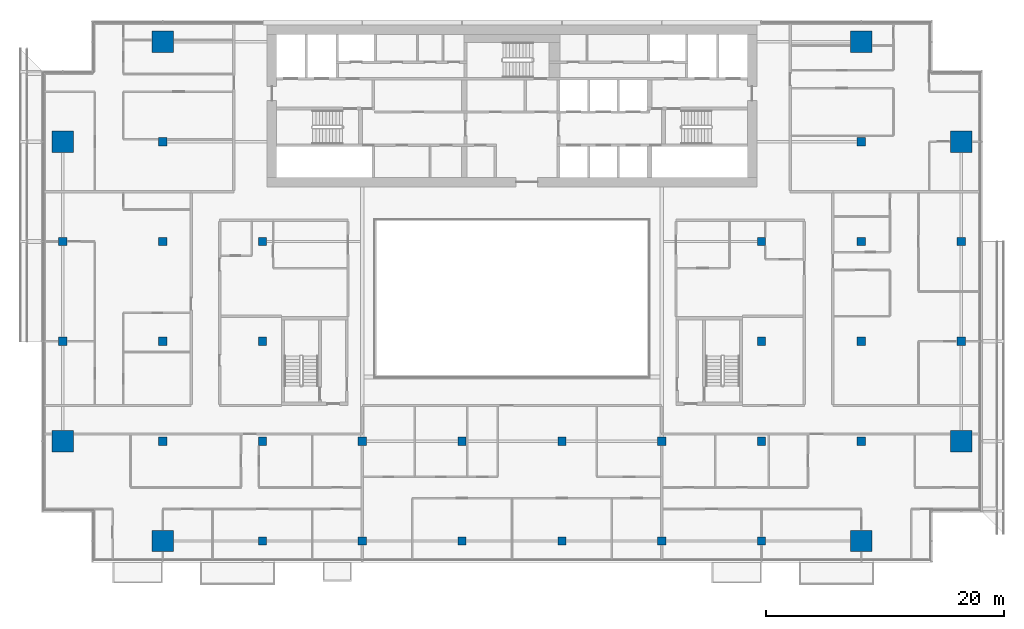
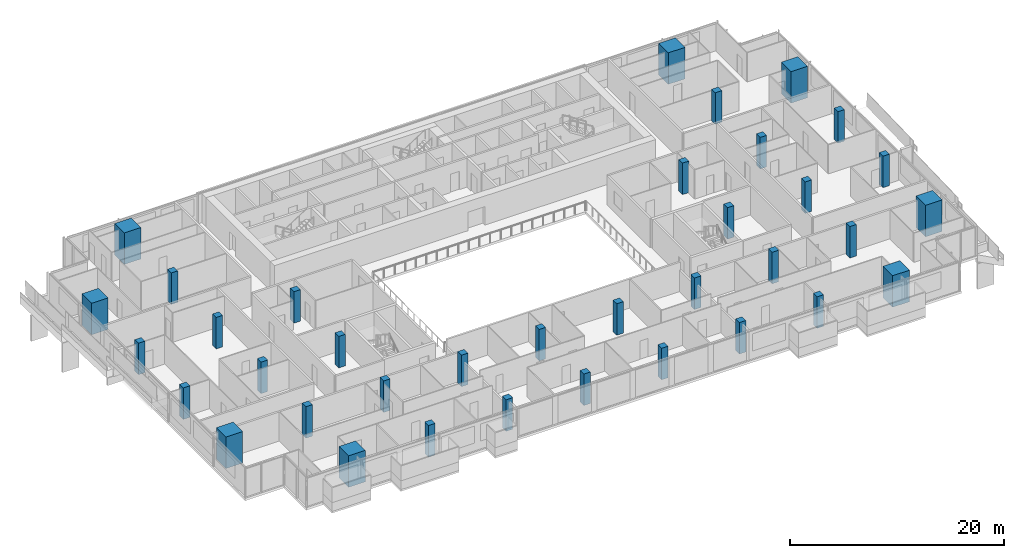
# One storey, part 1 of 29: 36 columns.
"""IFC4 building model written with IfcOpenShell, lengths in metres."""

import ifcopenshell
import ifcopenshell.guid

model = None  # the IFC model being written
_history = None  # IfcOwnerHistory: only IFC2X3 demands one
_inside = {}  # id of a spatial element -> (the spatial element, [elements in it])
_under = {}  # id of a project, library or spatial element -> (it, [spatial elements below it])
_declared = {}  # id of a project -> (the project, [libraries it declares])
_typed = {}  # id of a type object -> (the type object, [elements of that type])
_made_of = {}  # id of a material, layer set ... -> (it, [elements and type objects made of it])


def new_model(schema):
    """Start an empty IFC model of exactly this schema.

    Asked for "IFC4X3", IfcOpenShell would pick the latest addendum, in which some entities
    have other attributes; the version numbers below select the first issue.
    IFC2X3 requires an IfcOwnerHistory on every rooted entity: one is made here for all.
    """
    global model, _history
    if schema == "IFC4X3":
        model = ifcopenshell.file(schema_version=(4, 3, 0, 0))
    else:
        model = ifcopenshell.file(schema=schema)
    _inside.clear()
    _under.clear()
    _declared.clear()
    _typed.clear()
    _made_of.clear()
    _history = None
    if model.schema == "IFC2X3":
        org = make("IfcOrganization", Name="unknown")
        user = make(
            "IfcPersonAndOrganization",
            ThePerson=make("IfcPerson", FamilyName="unknown"),
            TheOrganization=org,
        )
        app = make(
            "IfcApplication",
            ApplicationDeveloper=org,
            Version="unknown",
            ApplicationFullName="unknown",
            ApplicationIdentifier="unknown",
        )
        _history = make(
            "IfcOwnerHistory",
            OwningUser=user,
            OwningApplication=app,
            ChangeAction="ADDED",
            CreationDate=0,
        )
    return model


def make(cls, **values):
    """One entity of the class cls with the attributes given. An attribute that is None is left unset."""
    return model.create_entity(
        cls, **{name: value for name, value in values.items() if value is not None}
    )


def rooted(cls, **values):
    """An entity with a GlobalId (a new one), such as an element, a storey or a relation."""
    return make(cls, GlobalId=ifcopenshell.guid.new(), OwnerHistory=_history, **values)


def si_unit(unit_type, name, prefix=None):
    """IfcSIUnit, for example si_unit("LENGTHUNIT", "METRE", prefix="MILLI")."""
    return make("IfcSIUnit", UnitType=unit_type, Prefix=prefix, Name=name)


def assignment(units):
    """IfcUnitAssignment: the units of a project."""
    return None if units is None else make("IfcUnitAssignment", Units=units)


def point(xyz):
    """IfcCartesianPoint."""
    return None if xyz is None else make("IfcCartesianPoint", Coordinates=xyz)


def direction(xyz):
    """IfcDirection."""
    return None if xyz is None else make("IfcDirection", DirectionRatios=xyz)


def frame(location, z_axis=None, x_axis=None):
    """IfcAxis2Placement3D, a coordinate frame: its origin and axes. An axis left out is left unset."""
    return make(
        "IfcAxis2Placement3D",
        Location=point(location),
        Axis=direction(z_axis),
        RefDirection=direction(x_axis),
    )


def frame_2d(location, x_axis=None):
    """IfcAxis2Placement2D, a coordinate frame in the plane: its origin and x axis."""
    return make(
        "IfcAxis2Placement2D", Location=point(location), RefDirection=direction(x_axis)
    )


def origin():
    """The frame at (0, 0, 0) with its axes left unset."""
    return frame((0.0, 0.0, 0.0))


def origin_2d():
    """The frame at (0, 0) in the plane with its x axis left unset."""
    return frame_2d((0.0, 0.0))


def place(relative_to, where):
    """IfcLocalPlacement: puts the frame where relative to a parent placement (None: the world)."""
    return make(
        "IfcLocalPlacement", PlacementRelTo=relative_to, RelativePlacement=where
    )


def context(
    kind, dimensions, precision=None, world=None, true_north=None, identifier=None
):
    """IfcGeometricRepresentationContext, for example the 3D "Model" context."""
    return make(
        "IfcGeometricRepresentationContext",
        ContextIdentifier=identifier,
        ContextType=kind,
        CoordinateSpaceDimension=dimensions,
        Precision=precision,
        WorldCoordinateSystem=world,
        TrueNorth=true_north,
    )


def subcontext(parent, identifier, kind, view, scale=None):
    """IfcGeometricRepresentationSubContext, for example "Body" below "Model"."""
    return make(
        "IfcGeometricRepresentationSubContext",
        ContextIdentifier=identifier,
        ContextType=kind,
        ParentContext=parent,
        TargetScale=scale,
        TargetView=view,
    )


def project(units=None, contexts=None):
    """IfcProject with its units and contexts."""
    return rooted(
        "IfcProject",
        Name="project",
        RepresentationContexts=contexts,
        UnitsInContext=assignment(units),
    )


def spatial(cls, under=None, at=None, **own):
    """A site, building, storey or space (cls), placed at a placement, below another one or the project."""
    s = rooted(cls, ObjectPlacement=at, **own)
    if under is not None:
        _under.setdefault(under.id(), (under, []))[1].append(s)
    return s


def profile(cls, at=None, kind="AREA", **sizes):
    """A parametric profile (cls). Its sizes go by their IFC names, for example OverallWidth=200.0."""
    return make(cls, ProfileType=kind, Position=at, **sizes)


def rectangle(**sizes):
    """IfcRectangleProfileDef."""
    return profile("IfcRectangleProfileDef", **sizes)


def extrude(swept, where, along, depth):
    """IfcExtrudedAreaSolid: the profile swept, set in the frame where, extruded along a direction by depth."""
    return make(
        "IfcExtrudedAreaSolid",
        SweptArea=swept,
        Position=where,
        ExtrudedDirection=direction(along),
        Depth=depth,
    )


def shape(context_of_items, identifier, shape_type, items):
    """IfcShapeRepresentation: the items that make up one representation, for example the "Body"."""
    return make(
        "IfcShapeRepresentation",
        ContextOfItems=context_of_items,
        RepresentationIdentifier=identifier,
        RepresentationType=shape_type,
        Items=items,
    )


def material(Name=None, Category=None):
    """IfcMaterial."""
    return make("IfcMaterial", Name=Name, Category=Category)


def material_profile(
    of_material, cross_section, Name=None, Category=None, Priority=None
):
    """IfcMaterialProfile: a cross section and its material."""
    return make(
        "IfcMaterialProfile",
        Name=Name,
        Material=of_material,
        Profile=cross_section,
        Priority=Priority,
        Category=Category,
    )


def profile_set(profiles, Name=None, composite=None):
    """IfcMaterialProfileSet."""
    return make(
        "IfcMaterialProfileSet",
        Name=Name,
        MaterialProfiles=profiles,
        CompositeProfile=composite,
    )


def made_of(thing, what):
    """Note that an element or type object is made of a material, layer set ...; save() writes the relation."""
    if what is not None:
        _made_of.setdefault(what.id(), (what, []))[1].append(thing)
    return thing


def type_object(cls, material=None, **own):
    """A type object (cls), such as IfcWallType, which elements share."""
    return made_of(rooted(cls, **own), material)


def element(
    cls,
    number,
    at=None,
    inside=None,
    cuts=None,
    type_object=None,
    material=None,
    context=None,
    identifier="Body",
    shape_type=None,
    held_by="IfcProductDefinitionShape",
    body=None,
    shapes=None,
    **own,
):
    """One element of the class cls, such as IfcWall. Its Tag is "e" and its number.

    at: its placement. inside: the storey or other place that contains it. cuts: it is an
    opening in that element (IfcRelVoidsElement). A single representation is given by context,
    identifier, shape_type and body (its items); several are given by shapes. held_by: the class
    of the entity that holds the representations. save() writes the other relations.
    """
    e = rooted(cls, Tag="e%d" % number, ObjectPlacement=at, **own)
    if body is not None:
        shapes = [shape(context, identifier, shape_type, body)]
    if shapes is not None:
        e.Representation = make(held_by, Representations=shapes)
    if inside is not None:
        _inside.setdefault(inside.id(), (inside, []))[1].append(e)
    if cuts is not None:
        rooted(
            "IfcRelVoidsElement", RelatingBuildingElement=cuts, RelatedOpeningElement=e
        )
    if type_object is not None:
        _typed.setdefault(type_object.id(), (type_object, []))[1].append(e)
    return made_of(e, material)


def aggregate(whole, parts):
    """IfcRelAggregates: a whole, such as a stair, and the parts it consists of."""
    return rooted("IfcRelAggregates", RelatingObject=whole, RelatedObjects=parts)


def save(model, path):
    """Write the relations noted so far, then the file.

    IfcRelAggregates (storeys below a building ...), IfcRelContainedInSpatialStructure (elements
    in a storey), IfcRelDefinesByType, IfcRelAssociatesMaterial and IfcRelDeclares: one each for
    every whole, place, type object, material and project.
    """
    for whole, parts in _under.values():
        aggregate(whole, parts)
    for where, things in _inside.values():
        rooted(
            "IfcRelContainedInSpatialStructure",
            RelatedElements=things,
            RelatingStructure=where,
        )
    for kind, things in _typed.values():
        rooted("IfcRelDefinesByType", RelatedObjects=things, RelatingType=kind)
    for what, things in _made_of.values():
        rooted("IfcRelAssociatesMaterial", RelatedObjects=things, RelatingMaterial=what)
    for by, libraries in _declared.values():
        rooted("IfcRelDeclares", RelatingContext=by, RelatedDefinitions=libraries)
    model.write(path)


model = new_model("IFC4")

# Units and contexts
model_context = context("Model", 3, precision=1e-05, world=origin(), true_north=direction((0.0, 1.0)))
body_context = subcontext(model_context, "Body", "Model", "MODEL_VIEW")
ifc_project = project(units=[si_unit("LENGTHUNIT", "METRE"), si_unit("AREAUNIT", "SQUARE_METRE"), si_unit("VOLUMEUNIT", "CUBIC_METRE"), si_unit("PLANEANGLEUNIT", "RADIAN"), si_unit("MASSUNIT", "GRAM", prefix="KILO")], contexts=[model_context])

# Site, building, storey
site_placement = place(None, origin())
site = spatial("IfcSite", under=ifc_project, at=site_placement, CompositionType="ELEMENT")
building_placement = place(site_placement, origin())
building = spatial("IfcBuilding", under=site, at=building_placement, Name="Saffron Gate Tower", CompositionType="ELEMENT")
storey_placement = place(building_placement, frame((0.0, 0.0, 161.85009765625)))
storey = spatial("IfcBuildingStorey", under=building, at=storey_placement, Name="L39", CompositionType="ELEMENT", Elevation=161.85009765625)

# Columns
ifc_material_1 = material(Name="Concrete C50", Category="concrete")
ifc_material_profile_1 = material_profile(ifc_material_1, rectangle(XDim=0.699951171875, YDim=0.699951171875, at=origin_2d()))
ifc_profile_set_1 = profile_set([ifc_material_profile_1], Name="Concrete C50")
column_type_1 = type_object("IfcColumnType", Name="C3 RC 700x700 CONCRETE C50", PredefinedType="COLUMN", material=ifc_profile_set_1)
for number, where, z_axis, x_axis, name in (
    (1, (49.800048828125, 48.60009765625, 0.0), (0.0, 0.0, 1.0), (1.0, 0.0, 0.0), "C3 COLUMN X1-C"),
    (2, (49.800048828125, 57.0, 0.0), (0.0, 0.0, 1.0), (1.0, 0.0, 0.0), "C3 COLUMN X1-D"),
    (3, (58.199951171875, 40.199951171875, 0.0), (0.0, 0.0, 1.0), (1.0, 0.0, 0.0), "C3 COLUMN X2-B"),
    (4, (58.199951171875, 48.60009765625, 0.0), (0.0, 0.0, 1.0), (1.0, 0.0, 0.0), "C3 COLUMN X2-C"),
    (5, (58.199951171875, 57.0, 0.0), (0.0, 0.0, 1.0), (1.0, 0.0, 0.0), "C3 COLUMN X2-D"),
    (6, (58.199951171875, 65.39990234375, 0.0), (0.0, 0.0, 1.0), (1.0, 0.0, 0.0), "C3 COLUMN X2-E"),
    (7, (66.60009765625, 31.800048828125, 0.0), (0.0, 0.0, 1.0), (1.0, 0.0, 0.0), "C3 COLUMN X3-A"),
    (8, (66.60009765625, 40.199951171875, 0.0), (0.0, 0.0, 1.0), (1.0, 0.0, 0.0), "C3 COLUMN X3-B"),
    (9, (66.60009765625, 48.60009765625, 0.0), (0.0, 0.0, 1.0), (1.0, 0.0, 0.0), "C3 COLUMN X3-C"),
    (10, (66.60009765625, 57.0, 0.0), (0.0, 0.0, 1.0), (1.0, 0.0, 0.0), "C3 COLUMN X3-D"),
    (11, (75.0, 31.800048828125, 0.0), (0.0, 0.0, 1.0), (1.0, 0.0, 0.0), "C3 COLUMN X4-A"),
    (12, (75.0, 40.199951171875, 0.0), (0.0, 0.0, 1.0), (1.0, 0.0, 0.0), "C3 COLUMN X4-B"),
    (13, (83.39990234375, 31.800048828125, 0.0), (0.0, 0.0, 1.0), (1.0, 0.0, 0.0), "C3 COLUMN X5-A"),
    (14, (83.39990234375, 40.199951171875, 0.0), (0.0, 0.0, 1.0), (1.0, 0.0, 0.0), "C3 COLUMN X5-B"),
    (15, (91.800048828125, 31.800048828125, 0.0), (0.0, 0.0, 1.0), (1.0, 0.0, 0.0), "C3 COLUMN X6-A"),
    (16, (91.800048828125, 40.199951171875, 0.0), (0.0, 0.0, 1.0), (1.0, 0.0, 0.0), "C3 COLUMN X6-B"),
    (17, (100.199951171875, 31.800048828125, 0.0), (0.0, 0.0, 1.0), (1.0, 0.0, 0.0), "C3 COLUMN X7-A"),
    (18, (100.199951171875, 40.199951171875, 0.0), (0.0, 0.0, 1.0), (1.0, 0.0, 0.0), "C3 COLUMN X7-B"),
    (19, (108.60009765625, 31.800048828125, 0.0), (0.0, 0.0, 1.0), (1.0, 0.0, 0.0), "C3 COLUMN X8-A"),
    (20, (108.60009765625, 40.199951171875, 0.0), (0.0, 0.0, 1.0), (1.0, 0.0, 0.0), "C3 COLUMN X8-B"),
    (21, (108.60009765625, 48.60009765625, 0.0), (0.0, 0.0, 1.0), (1.0, 0.0, 0.0), "C3 COLUMN X8-C"),
    (22, (108.60009765625, 57.0, 0.0), (0.0, 0.0, 1.0), (1.0, 0.0, 0.0), "C3 COLUMN X8-D"),
    (23, (117.0, 40.199951171875, 0.0), (0.0, 0.0, 1.0), (1.0, 0.0, 0.0), "C3 COLUMN X9-B"),
    (24, (117.0, 48.60009765625, 0.0), (0.0, 0.0, 1.0), (1.0, 0.0, 0.0), "C3 COLUMN X9-C"),
    (25, (117.0, 57.0, 0.0), (0.0, 0.0, 1.0), (1.0, 0.0, 0.0), "C3 COLUMN X9-D"),
    (26, (117.0, 65.39990234375, 0.0), (0.0, 0.0, 1.0), (1.0, 0.0, 0.0), "C3 COLUMN X9-E"),
    (27, (125.39990234375, 48.60009765625, 0.0), (0.0, 0.0, 1.0), (1.0, 0.0, 0.0), "C3 COLUMN X10-C"),
    (28, (125.39990234375, 57.0, 0.0), (0.0, 0.0, 1.0), (1.0, 0.0, 0.0), "C3 COLUMN X10-D"),
):
    element("IfcColumn", number, at=place(storey_placement, frame(where, z_axis=z_axis, x_axis=x_axis)), inside=storey, type_object=column_type_1, Name=name, PredefinedType="COLUMN", context=body_context, shape_type="SweptSolid", body=[
        extrude(rectangle(XDim=0.699951171875, YDim=0.699951171875, at=origin_2d()), origin(), (0.0, 0.0, 1.0), 3.599853515625),
    ])
ifc_material_2 = material(Name="Concrete C70", Category="concrete")
ifc_material_profile_2 = material_profile(ifc_material_2, rectangle(XDim=1.800048828125, YDim=1.800048828125, at=origin_2d()))
ifc_profile_set_2 = profile_set([ifc_material_profile_2], Name="Concrete C70")
column_type_2 = type_object("IfcColumnType", Name="MC2 RC 1800x1800 CONCRETE C70", PredefinedType="COLUMN", material=ifc_profile_set_2)
for number, where, z_axis, x_axis, name in (
    (29, (49.800048828125, 40.199951171875, 0.0), (0.0, 0.0, 1.0), (1.0, 0.0, 0.0), "MC2 MEGA COLUMN X1-B"),
    (30, (49.800048828125, 65.39990234375, 0.0), (0.0, 0.0, 1.0), (1.0, 0.0, 0.0), "MC2 MEGA COLUMN X1-E"),
    (31, (58.199951171875, 31.800048828125, 0.0), (0.0, 0.0, 1.0), (1.0, 0.0, 0.0), "MC2 MEGA COLUMN X2-A"),
    (32, (58.199951171875, 73.800048828125, 0.0), (0.0, 0.0, 1.0), (1.0, 0.0, 0.0), "MC2 MEGA COLUMN X2-F"),
    (33, (117.0, 31.800048828125, 0.0), (0.0, 0.0, 1.0), (1.0, 0.0, 0.0), "MC2 MEGA COLUMN X9-A"),
    (34, (117.0, 73.800048828125, 0.0), (0.0, 0.0, 1.0), (1.0, 0.0, 0.0), "MC2 MEGA COLUMN X9-F"),
    (35, (125.39990234375, 40.199951171875, 0.0), (0.0, 0.0, 1.0), (1.0, 0.0, 0.0), "MC2 MEGA COLUMN X10-B"),
    (36, (125.39990234375, 65.39990234375, 0.0), (0.0, 0.0, 1.0), (1.0, 0.0, 0.0), "MC2 MEGA COLUMN X10-E"),
):
    element("IfcColumn", number, at=place(storey_placement, frame(where, z_axis=z_axis, x_axis=x_axis)), inside=storey, type_object=column_type_2, Name=name, PredefinedType="COLUMN", context=body_context, shape_type="SweptSolid", body=[
        extrude(rectangle(XDim=1.800048828125, YDim=1.800048828125, at=origin_2d()), origin(), (0.0, 0.0, 1.0), 3.599853515625),
    ])

save(model, "model.ifc")
